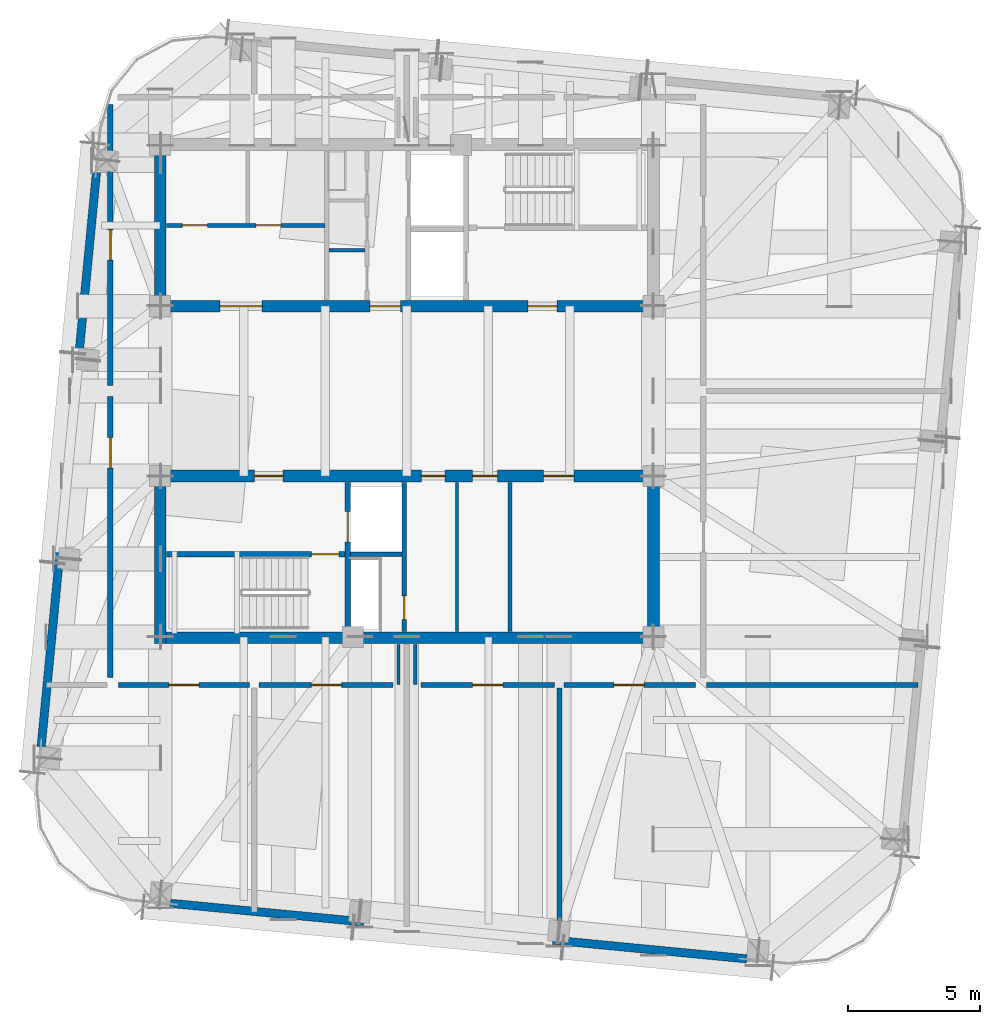
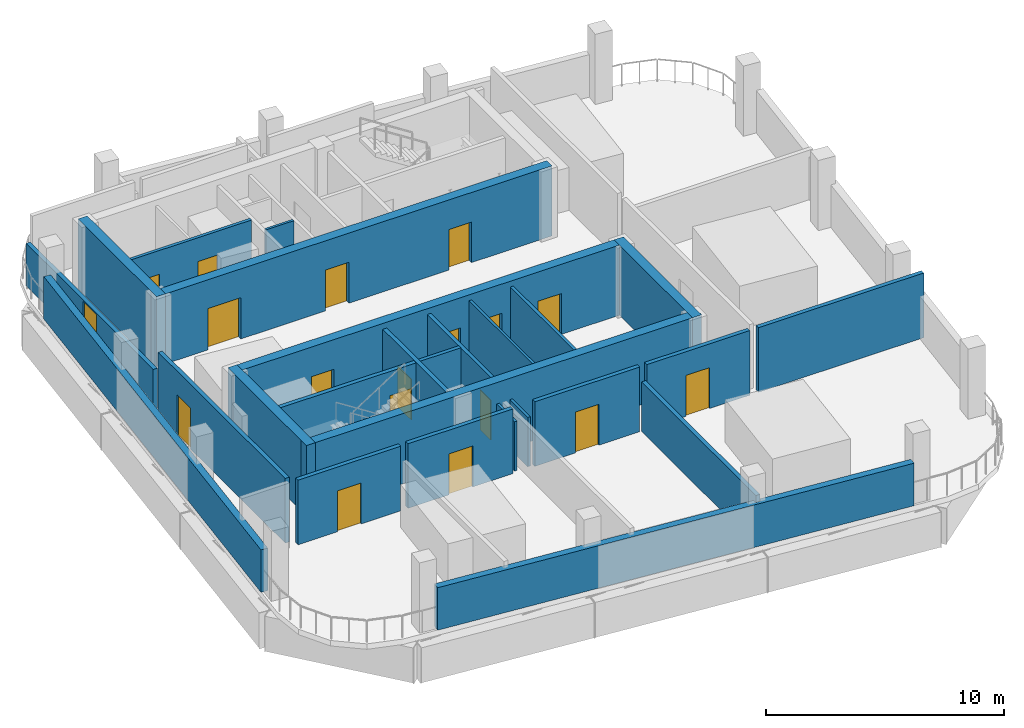
# One storey, part 4 of 10: 26 walls, 18 doors, 18 openings.
"""IFC4 building model written with IfcOpenShell, lengths in metres."""

from ifc_helpers import new_model, si_unit, direction, frame, frame_2d, origin, place, context, subcontext, project, spatial, rectangle, extrude, material, layer, layer_set, type_object, element, fill, save


model = new_model("IFC4")

# Units and contexts
model_context = context("Model", 3, precision=1e-05, world=origin(), true_north=direction((0.0, 1.0)))
body_context = subcontext(model_context, "Body", "Model", "MODEL_VIEW")
ifc_project = project(units=[si_unit("LENGTHUNIT", "METRE"), si_unit("AREAUNIT", "SQUARE_METRE"), si_unit("VOLUMEUNIT", "CUBIC_METRE"), si_unit("PLANEANGLEUNIT", "RADIAN"), si_unit("MASSUNIT", "GRAM", prefix="KILO")], contexts=[model_context])

# Site, building, storey
site_placement = place(None, origin())
site = spatial("IfcSite", under=ifc_project, at=site_placement, CompositionType="ELEMENT")
building_placement = place(site_placement, origin())
building = spatial("IfcBuilding", under=site, at=building_placement, Name="Qhalaya Broadcast Tower", CompositionType="ELEMENT")
storey_placement = place(building_placement, frame((0.0, 0.0, 289.25)))
storey = spatial("IfcBuildingStorey", under=building, at=storey_placement, Name="L85", CompositionType="ELEMENT", Elevation=289.25)

# Wall, openings, doors
ifc_material_1 = material(Name="Gypsum Acoustic Partition")
ifc_layer_1 = layer(ifc_material_1, 0.14990234375, Name="Gypsum Acoustic Partition")
ifc_layer_set_1 = layer_set([ifc_layer_1], Name="Gypsum Acoustic Partition")
wall_type_1 = type_object("IfcWallType", Name="Corridor & Tenancy Acoustic Partition 150", PredefinedType="PARTITIONING", material=ifc_layer_set_1)
wall_1_placement = place(storey_placement, frame((-9.1298828125, 6.89990234375, 0.0), z_axis=(0.0, 0.0, 1.0), x_axis=(1.0, 0.0, 0.0)))
wall_1 = element("IfcWall", 1, at=wall_1_placement, inside=storey, type_object=wall_type_1, Name="L85 Partition Wall NCW-REC1", PredefinedType="PARTITIONING", context=body_context, shape_type="SweptSolid", body=[
    extrude(rectangle(XDim=6.009765625, YDim=0.14990234375, at=frame_2d((3.0048828125, 0.0))), origin(), (0.0, 0.0, 1.0), 3.320068359375),
])
opening_1_placement = place(wall_1_placement, frame((0.60009765625, 0.0, 0.0)))
opening_1 = element("IfcOpeningElement", 2, at=opening_1_placement, cuts=wall_1, Name="Opening D10", PredefinedType="OPENING", context=body_context, shape_type="SweptSolid", body=[
    extrude(rectangle(XDim=0.949951171875, YDim=2.10009765625, at=frame_2d((0.47509765625, 1.050048828125))), frame((0.0, 0.0869140625, 0.0), z_axis=(0.0, -1.0, 0.0), x_axis=(1.0, 0.0, 0.0)), (0.0, 0.0, 1.0), 0.173828125),
])
opening_2_placement = place(wall_1_placement, frame((3.39990234375, 0.0, 0.0)))
opening_2 = element("IfcOpeningElement", 3, at=opening_2_placement, cuts=wall_1, Name="Opening D10", PredefinedType="OPENING", context=body_context, shape_type="SweptSolid", body=[
    extrude(rectangle(XDim=0.949951171875, YDim=2.10009765625, at=frame_2d((0.47509765625, 1.050048828125))), frame((0.0, 0.0869140625, 0.0), z_axis=(0.0, -1.0, 0.0), x_axis=(1.0, 0.0, 0.0)), (0.0, 0.0, 1.0), 0.173828125),
])
ifc_material_2 = material(Name="Timber Veneer Acoustic Door", Category="wood")
door_type_1 = type_object("IfcDoorType", Name="Cellular Office & Edit Booth Door D10", OperationType="NOTDEFINED", PredefinedType="DOOR", material=ifc_material_2)
door_1_placement = place(opening_1_placement, origin())
door_1 = element("IfcDoor", 4, at=door_1_placement, inside=storey, type_object=door_type_1, Name="L85 Door D-NREC1", OperationType="SINGLE_SWING_LEFT", OverallHeight=2.10009765625, OverallWidth=0.949951171875, PredefinedType="DOOR", context=body_context, shape_type="SweptSolid", body=[
    extrude(rectangle(XDim=0.949951171875, YDim=2.10009765625, at=frame_2d((0.47509765625, 1.050048828125))), frame((0.0, 0.02490234375, 0.0), z_axis=(0.0, -1.0, 0.0), x_axis=(1.0, 0.0, 0.0)), (0.0, 0.0, 1.0), 0.050048828125),
])
fill(opening_1, door_1)
door_2_placement = place(opening_2_placement, origin())
door_2 = element("IfcDoor", 5, at=door_2_placement, inside=storey, type_object=door_type_1, Name="L85 Door D-NREC2", OperationType="SINGLE_SWING_RIGHT", OverallHeight=2.10009765625, OverallWidth=0.949951171875, PredefinedType="DOOR", context=body_context, shape_type="SweptSolid", body=[
    extrude(rectangle(XDim=0.949951171875, YDim=2.10009765625, at=frame_2d((0.47509765625, 1.050048828125))), frame((0.0, 0.02490234375, 0.0), z_axis=(0.0, -1.0, 0.0), x_axis=(1.0, 0.0, 0.0)), (0.0, 0.0, 1.0), 0.050048828125),
])
fill(opening_2, door_2)

# Wall
wall_2_placement = place(storey_placement, frame((3.919921875, -8.530029296875, 0.0), z_axis=(0.0, 0.0, 1.0), x_axis=(0.0, 1.0, 0.0)))
element("IfcWall", 6, at=wall_2_placement, inside=storey, type_object=wall_type_1, Name="L85 Partition Wall SCW-HSEP", PredefinedType="PARTITIONING", context=body_context, shape_type="SweptSolid", body=[
    extrude(rectangle(XDim=5.659912109375, YDim=0.14990234375, at=frame_2d((2.830078125, 0.0))), origin(), (0.0, 0.0, 1.0), 3.320068359375),
])

# Wall, opening, door
ifc_layer_2 = layer(ifc_material_1, 0.199951171875, Name="Gypsum Acoustic Partition")
ifc_layer_set_2 = layer_set([ifc_layer_2], Name="Gypsum Acoustic Partition")
wall_type_2 = type_object("IfcWallType", Name="Firefighting Lobby & Stair Enclosure Wall 200", PredefinedType="PARTITIONING", material=ifc_layer_set_2)
wall_3_placement = place(storey_placement, frame((-10.969970703125, -10.570068359375, 0.0), z_axis=(0.0, 0.0, 1.0), x_axis=(1.0, 0.0, 0.0)))
wall_3 = element("IfcWall", 7, at=wall_3_placement, inside=storey, type_object=wall_type_2, Name="L85 Partition Wall W-PCS0", PredefinedType="PARTITIONING", context=body_context, shape_type="SweptSolid", body=[
    extrude(rectangle(XDim=4.989990234375, YDim=0.199951171875, at=frame_2d((2.4951171875, 0.0))), origin(), (0.0, 0.0, 1.0), 3.320068359375),
])
opening_3_placement = place(wall_3_placement, frame((1.919921875, 0.0, 0.0)))
opening_3 = element("IfcOpeningElement", 8, at=opening_3_placement, cuts=wall_3, Name="Opening D05", PredefinedType="OPENING", context=body_context, shape_type="SweptSolid", body=[
    extrude(rectangle(XDim=1.14990234375, YDim=2.10009765625, at=frame_2d((0.574951171875, 1.050048828125))), frame((0.0, 0.112060546875, 0.0), z_axis=(0.0, -1.0, 0.0), x_axis=(1.0, 0.0, 0.0)), (0.0, 0.0, 1.0), 0.223876953125),
])
ifc_material_3 = material(Name="Fire-Rated Steel Door", Category="steel")
door_type_2 = type_object("IfcDoorType", Name="Refuge & Plant Room Fire Door D05", OperationType="NOTDEFINED", PredefinedType="DOOR", material=ifc_material_3)
door_3_placement = place(opening_3_placement, origin())
door_3 = element("IfcDoor", 9, at=door_3_placement, inside=storey, type_object=door_type_2, Name="L85 Door D-PCS0", OperationType="SINGLE_SWING_RIGHT", OverallHeight=2.10009765625, OverallWidth=1.14990234375, PredefinedType="DOOR", context=body_context, shape_type="SweptSolid", body=[
    extrude(rectangle(XDim=1.14990234375, YDim=2.10009765625, at=frame_2d((0.574951171875, 1.050048828125))), frame((0.0, 0.02490234375, 0.0), z_axis=(0.0, -1.0, 0.0), x_axis=(1.0, 0.0, 0.0)), (0.0, 0.0, 1.0), 0.050048828125),
])
fill(opening_3, door_3)

wall_4_placement = place(storey_placement, frame((-5.6201171875, -10.570068359375, 0.0), z_axis=(0.0, 0.0, 1.0), x_axis=(1.0, 0.0, 0.0)))
wall_4 = element("IfcWall", 10, at=wall_4_placement, inside=storey, type_object=wall_type_2, Name="L85 Partition Wall W-PCS1", PredefinedType="PARTITIONING", context=body_context, shape_type="SweptSolid", body=[
    extrude(rectangle(XDim=5.090087890625, YDim=0.199951171875, at=frame_2d((2.544921875, 0.0))), origin(), (0.0, 0.0, 1.0), 3.320068359375),
])
opening_4_placement = place(wall_4_placement, frame((1.989990234375, 0.0, 0.0)))
opening_4 = element("IfcOpeningElement", 11, at=opening_4_placement, cuts=wall_4, Name="Opening D05", PredefinedType="OPENING", context=body_context, shape_type="SweptSolid", body=[
    extrude(rectangle(XDim=1.14990234375, YDim=2.10009765625, at=frame_2d((0.574951171875, 1.050048828125))), frame((0.0, 0.112060546875, 0.0), z_axis=(0.0, -1.0, 0.0), x_axis=(1.0, 0.0, 0.0)), (0.0, 0.0, 1.0), 0.223876953125),
])
door_4_placement = place(opening_4_placement, origin())
door_4 = element("IfcDoor", 12, at=door_4_placement, inside=storey, type_object=door_type_2, Name="L85 Door D-PCS1", OperationType="SINGLE_SWING_RIGHT", OverallHeight=2.10009765625, OverallWidth=1.14990234375, PredefinedType="DOOR", context=body_context, shape_type="SweptSolid", body=[
    extrude(rectangle(XDim=1.14990234375, YDim=2.10009765625, at=frame_2d((0.574951171875, 1.050048828125))), frame((0.0, 0.02490234375, 0.0), z_axis=(0.0, -1.0, 0.0), x_axis=(1.0, 0.0, 0.0)), (0.0, 0.0, 1.0), 0.050048828125),
])
fill(opening_4, door_4)

wall_5_placement = place(storey_placement, frame((0.530029296875, -10.570068359375, 0.0), z_axis=(0.0, 0.0, 1.0), x_axis=(1.0, 0.0, 0.0)))
wall_5 = element("IfcWall", 13, at=wall_5_placement, inside=storey, type_object=wall_type_2, Name="L85 Partition Wall W-PCS2", PredefinedType="PARTITIONING", context=body_context, shape_type="SweptSolid", body=[
    extrude(rectangle(XDim=5.090087890625, YDim=0.199951171875, at=frame_2d((2.544921875, 0.0))), origin(), (0.0, 0.0, 1.0), 3.320068359375),
])
opening_5_placement = place(wall_5_placement, frame((1.969970703125, 0.0, 0.0)))
opening_5 = element("IfcOpeningElement", 14, at=opening_5_placement, cuts=wall_5, Name="Opening D05", PredefinedType="OPENING", context=body_context, shape_type="SweptSolid", body=[
    extrude(rectangle(XDim=1.14990234375, YDim=2.10009765625, at=frame_2d((0.574951171875, 1.050048828125))), frame((0.0, 0.112060546875, 0.0), z_axis=(0.0, -1.0, 0.0), x_axis=(1.0, 0.0, 0.0)), (0.0, 0.0, 1.0), 0.223876953125),
])
door_5_placement = place(opening_5_placement, origin())
door_5 = element("IfcDoor", 15, at=door_5_placement, inside=storey, type_object=door_type_2, Name="L85 Door D-PCS2", OperationType="SINGLE_SWING_RIGHT", OverallHeight=2.10009765625, OverallWidth=1.14990234375, PredefinedType="DOOR", context=body_context, shape_type="SweptSolid", body=[
    extrude(rectangle(XDim=1.14990234375, YDim=2.10009765625, at=frame_2d((0.574951171875, 1.050048828125))), frame((0.0, 0.02490234375, 0.0), z_axis=(0.0, -1.0, 0.0), x_axis=(1.0, 0.0, 0.0)), (0.0, 0.0, 1.0), 0.050048828125),
])
fill(opening_5, door_5)

# Wall
wall_6_placement = place(storey_placement, frame((5.800048828125, -20.313720703125, 0.0), z_axis=(0.0, 0.0, 1.0), x_axis=(0.0, 1.0, 0.0)))
element("IfcWall", 16, at=wall_6_placement, inside=storey, type_object=wall_type_2, Name="L85 Partition Wall W-PDS3", PredefinedType="PARTITIONING", context=body_context, shape_type="SweptSolid", body=[
    extrude(rectangle(XDim=9.623779296875, YDim=0.199951171875, at=frame_2d((4.81201171875, 0.0))), origin(), (0.0, 0.0, 1.0), 2.5380859375),
])

# Wall, opening, door
wall_7_placement = place(storey_placement, frame((5.97998046875, -10.570068359375, 0.0), z_axis=(0.0, 0.0, 1.0), x_axis=(1.0, 0.0, 0.0)))
wall_7 = element("IfcWall", 17, at=wall_7_placement, inside=storey, type_object=wall_type_2, Name="L85 Partition Wall W-PCS3", PredefinedType="PARTITIONING", context=body_context, shape_type="SweptSolid", body=[
    extrude(rectangle(XDim=4.989990234375, YDim=0.199951171875, at=frame_2d((2.4951171875, 0.0))), origin(), (0.0, 0.0, 1.0), 3.320068359375),
])
opening_6_placement = place(wall_7_placement, frame((1.889892578125, 0.0, 0.0)))
opening_6 = element("IfcOpeningElement", 18, at=opening_6_placement, cuts=wall_7, Name="Opening D05", PredefinedType="OPENING", context=body_context, shape_type="SweptSolid", body=[
    extrude(rectangle(XDim=1.14990234375, YDim=2.10009765625, at=frame_2d((0.574951171875, 1.050048828125))), frame((0.0, 0.112060546875, 0.0), z_axis=(0.0, -1.0, 0.0), x_axis=(1.0, 0.0, 0.0)), (0.0, 0.0, 1.0), 0.223876953125),
])
door_6_placement = place(opening_6_placement, origin())
door_6 = element("IfcDoor", 19, at=door_6_placement, inside=storey, type_object=door_type_2, Name="L85 Door D-PCS3", OperationType="SINGLE_SWING_RIGHT", OverallHeight=2.10009765625, OverallWidth=1.14990234375, PredefinedType="DOOR", context=body_context, shape_type="SweptSolid", body=[
    extrude(rectangle(XDim=1.14990234375, YDim=2.10009765625, at=frame_2d((0.574951171875, 1.050048828125))), frame((0.0, 0.02490234375, 0.0), z_axis=(0.0, -1.0, 0.0), x_axis=(1.0, 0.0, 0.0)), (0.0, 0.0, 1.0), 0.050048828125),
])
fill(opening_6, door_6)

# Wall
wall_8_placement = place(storey_placement, frame((11.389892578125, -10.570068359375, 0.0), z_axis=(0.0, 0.0, 1.0), x_axis=(1.0, 0.0, 0.0)))
element("IfcWall", 20, at=wall_8_placement, inside=storey, type_object=wall_type_2, Name="L85 Partition Wall W-PBSE", PredefinedType="PARTITIONING", context=body_context, shape_type="SweptSolid", body=[
    extrude(rectangle(XDim=8.029296875, YDim=0.199951171875, at=frame_2d((4.0146484375, 0.0))), origin(), (0.0, 0.0, 1.0), 3.320068359375),
])

# Wall, opening, door
wall_9_placement = place(storey_placement, frame((-11.27001953125, 0.389892578125, 0.0), z_axis=(0.0, 0.0, 1.0), x_axis=(0.0, -1.0, 0.0)))
wall_9 = element("IfcWall", 21, at=wall_9_placement, inside=storey, type_object=wall_type_2, Name="L85 Partition Wall W-PCW1", PredefinedType="PARTITIONING", context=body_context, shape_type="SweptSolid", body=[
    extrude(rectangle(XDim=10.679931640625, YDim=0.199951171875, at=frame_2d((5.33984375, 0.0))), origin(), (0.0, 0.0, 1.0), 3.320068359375),
])
opening_7_placement = place(wall_9_placement, frame((1.56103515625, 0.0, 0.0)))
opening_7 = element("IfcOpeningElement", 22, at=opening_7_placement, cuts=wall_9, Name="Opening D05", PredefinedType="OPENING", context=body_context, shape_type="SweptSolid", body=[
    extrude(rectangle(XDim=1.14990234375, YDim=2.10009765625, at=frame_2d((0.574951171875, 1.050048828125))), frame((0.0, 0.112060546875, 0.0), z_axis=(0.0, -1.0, 0.0), x_axis=(1.0, 0.0, 0.0)), (0.0, 0.0, 1.0), 0.223876953125),
])
door_7_placement = place(opening_7_placement, origin())
door_7 = element("IfcDoor", 23, at=door_7_placement, inside=storey, type_object=door_type_2, Name="L85 Door D-PCW1", OperationType="SINGLE_SWING_LEFT", OverallHeight=2.10009765625, OverallWidth=1.14990234375, PredefinedType="DOOR", context=body_context, shape_type="SweptSolid", body=[
    extrude(rectangle(XDim=1.14990234375, YDim=2.10009765625, at=frame_2d((0.574951171875, 1.050048828125))), frame((0.0, 0.02490234375, 0.0), z_axis=(0.0, -1.0, 0.0), x_axis=(1.0, 0.0, 0.0)), (0.0, 0.0, 1.0), 0.050048828125),
])
fill(opening_7, door_7)

wall_10_placement = place(storey_placement, frame((-11.27001953125, 11.489990234375, 0.0), z_axis=(0.0, 0.0, 1.0), x_axis=(0.0, -1.0, 0.0)))
wall_10 = element("IfcWall", 24, at=wall_10_placement, inside=storey, type_object=wall_type_2, Name="L85 Partition Wall W-PCW2", PredefinedType="PARTITIONING", context=body_context, shape_type="SweptSolid", body=[
    extrude(rectangle(XDim=10.679931640625, YDim=0.199951171875, at=frame_2d((5.33984375, 0.0))), origin(), (0.0, 0.0, 1.0), 2.181884765625),
])
opening_8_placement = place(wall_10_placement, frame((4.764892578125, 0.0, 0.0)))
opening_8 = element("IfcOpeningElement", 25, at=opening_8_placement, cuts=wall_10, Name="Opening D05", PredefinedType="OPENING", context=body_context, shape_type="SweptSolid", body=[
    extrude(rectangle(XDim=1.14990234375, YDim=2.10009765625, at=frame_2d((0.574951171875, 1.050048828125))), frame((0.0, 0.112060546875, 0.0), z_axis=(0.0, -1.0, 0.0), x_axis=(1.0, 0.0, 0.0)), (0.0, 0.0, 1.0), 0.223876953125),
])
door_8_placement = place(opening_8_placement, origin())
door_8 = element("IfcDoor", 26, at=door_8_placement, inside=storey, type_object=door_type_2, Name="L85 Door D-PCW2", OperationType="SINGLE_SWING_RIGHT", OverallHeight=2.10009765625, OverallWidth=1.14990234375, PredefinedType="DOOR", context=body_context, shape_type="SweptSolid", body=[
    extrude(rectangle(XDim=1.14990234375, YDim=2.10009765625, at=frame_2d((0.574951171875, 1.050048828125))), frame((0.0, 0.02490234375, 0.0), z_axis=(0.0, -1.0, 0.0), x_axis=(1.0, 0.0, 0.0)), (0.0, 0.0, 1.0), 0.050048828125),
])
fill(opening_8, door_8)

ifc_material_4 = material(Name="Concrete C50/60", Category="concrete")
ifc_layer_3 = layer(ifc_material_4, 0.199951171875, Name="Concrete C50/60")
ifc_layer_set_3 = layer_set([ifc_layer_3], Name="Concrete C50/60")
wall_type_3 = type_object("IfcWallType", Name="Load-Bearing Stair Shaft Wall 200", PredefinedType="SHEAR", material=ifc_layer_set_3)
wall_11_placement = place(storey_placement, frame((-9.1298828125, -5.60498046875, 0.0), z_axis=(0.0, 0.0, 1.0), x_axis=(1.0, 0.0, 0.0)))
wall_11 = element("IfcWall", 27, at=wall_11_placement, inside=storey, type_object=wall_type_3, Name="L85 Stair Core Shear Wall SCW-ST2", PredefinedType="SHEAR", context=body_context, shape_type="SweptSolid", body=[
    extrude(rectangle(XDim=6.769775390625, YDim=0.199951171875, at=frame_2d((3.384765625, 0.0))), origin(), (0.0, 0.0, 1.0), 3.320068359375),
])
opening_9_placement = place(wall_11_placement, frame((5.5, 0.0, 0.0)))
opening_9 = element("IfcOpeningElement", 28, at=opening_9_placement, cuts=wall_11, Name="Opening D03", PredefinedType="OPENING", context=body_context, shape_type="SweptSolid", body=[
    extrude(rectangle(XDim=1.050048828125, YDim=2.080078125, at=frame_2d((0.52490234375, 1.0400390625))), frame((0.0, 0.112060546875, 0.0), z_axis=(0.0, -1.0, 0.0), x_axis=(1.0, 0.0, 0.0)), (0.0, 0.0, 1.0), 0.223876953125),
])
door_type_3 = type_object("IfcDoorType", Name="Core Stair Protected Fire Door D03", OperationType="NOTDEFINED", PredefinedType="DOOR", material=ifc_material_3)
door_9_placement = place(opening_9_placement, origin())
door_9 = element("IfcDoor", 29, at=door_9_placement, inside=storey, type_object=door_type_3, Name="L85 Door D-SST2", OperationType="SINGLE_SWING_RIGHT", OverallHeight=2.080078125, OverallWidth=1.050048828125, PredefinedType="DOOR", context=body_context, shape_type="SweptSolid", body=[
    extrude(rectangle(XDim=1.050048828125, YDim=2.080078125, at=frame_2d((0.52490234375, 1.0400390625))), frame((0.0, 0.02490234375, 0.0), z_axis=(0.0, -1.0, 0.0), x_axis=(1.0, 0.0, 0.0)), (0.0, 0.0, 1.0), 0.050048828125),
])
fill(opening_9, door_9)

wall_12_placement = place(storey_placement, frame((-2.25, -8.530029296875, 0.0), z_axis=(0.0, 0.0, 1.0), x_axis=(0.0, 1.0, 0.0)))
wall_12 = element("IfcWall", 30, at=wall_12_placement, inside=storey, type_object=wall_type_3, Name="L85 Stair Core Shear Wall SCW-FF", PredefinedType="SHEAR", context=body_context, shape_type="SweptSolid", body=[
    extrude(rectangle(XDim=5.659912109375, YDim=0.199951171875, at=frame_2d((2.830078125, 0.0))), origin(), (0.0, 0.0, 1.0), 3.320068359375),
])
opening_10_placement = place(wall_12_placement, frame((3.39990234375, 0.0, 0.0)))
opening_10 = element("IfcOpeningElement", 31, at=opening_10_placement, cuts=wall_12, Name="Opening LD2", PredefinedType="OPENING", context=body_context, shape_type="SweptSolid", body=[
    extrude(rectangle(XDim=1.14990234375, YDim=2.080078125, at=frame_2d((0.574951171875, 1.0400390625))), frame((0.0, 0.112060546875, 0.0), z_axis=(0.0, -1.0, 0.0), x_axis=(1.0, 0.0, 0.0)), (0.0, 0.0, 1.0), 0.223876953125),
])
ifc_material_5 = material(Name="Brushed Stainless Steel Lift Door", Category="steel")
door_type_4 = type_object("IfcDoorType", Name="Firefighting Lift Sliding Landing Door LD2", OperationType="DOUBLE_DOOR_SLIDING", PredefinedType="DOOR", material=ifc_material_5)
door_10_placement = place(opening_10_placement, origin())
door_10 = element("IfcDoor", 32, at=door_10_placement, inside=storey, type_object=door_type_4, Name="L85 Door LD-FF2", OperationType="DOUBLE_DOOR_SLIDING", OverallHeight=2.080078125, OverallWidth=1.14990234375, PredefinedType="DOOR", context=body_context, shape_type="SweptSolid", body=[
    extrude(rectangle(XDim=1.14990234375, YDim=2.080078125, at=frame_2d((0.574951171875, 1.0400390625))), frame((0.0, 0.02490234375, 0.0), z_axis=(0.0, -1.0, 0.0), x_axis=(1.0, 0.0, 0.0)), (0.0, 0.0, 1.0), 0.050048828125),
])
fill(opening_10, door_10)

# Walls
ifc_layer_4 = layer(ifc_material_1, 0.1201171875, Name="Gypsum Acoustic Partition")
ifc_layer_set_4 = layer_set([ifc_layer_4], Name="Gypsum Acoustic Partition")
wall_type_4 = type_object("IfcWallType", Name="Office, Booth & Sanitary Partition 120", PredefinedType="PARTITIONING", material=ifc_layer_set_4)
wall_13_placement = place(storey_placement, frame((-2.9599609375, 5.949951171875, 0.0), z_axis=(0.0, 0.0, 1.0), x_axis=(1.0, 0.0, 0.0)))
element("IfcWall", 33, at=wall_13_placement, inside=storey, type_object=wall_type_4, Name="L85 Partition Wall NCW-VB1", PredefinedType="PARTITIONING", context=body_context, shape_type="SweptSolid", body=[
    extrude(rectangle(XDim=1.35986328125, YDim=0.1201171875, at=frame_2d((0.679931640625, 0.0))), origin(), (0.0, 0.0, 1.0), 3.320068359375),
])
wall_14_placement = place(storey_placement, frame((1.89990234375, -8.530029296875, 0.0), z_axis=(0.0, 0.0, 1.0), x_axis=(0.0, 1.0, 0.0)))
element("IfcWall", 34, at=wall_14_placement, inside=storey, type_object=wall_type_4, Name="L85 Partition Wall SCW-RKB", PredefinedType="PARTITIONING", context=body_context, shape_type="SweptSolid", body=[
    extrude(rectangle(XDim=5.659912109375, YDim=0.1201171875, at=frame_2d((2.830078125, 0.0))), origin(), (0.0, 0.0, 1.0), 3.320068359375),
])
for number, where, z_axis, x_axis, name in (
    (35, (-0.320068359375, -10.550048828125, 0.0), (0.0, 0.0, 1.0), (0.0, 1.0, 0.0), "L85 Partition Wall W-OBSCW"),
    (36, (0.320068359375, -10.550048828125, 0.0), (0.0, 0.0, 1.0), (0.0, 1.0, 0.0), "L85 Partition Wall W-OBSCE"),
):
    element("IfcWall", number, at=place(storey_placement, frame(where, z_axis=z_axis, x_axis=x_axis)), inside=storey, type_object=wall_type_4, Name=name, PredefinedType="PARTITIONING", context=body_context, shape_type="SweptSolid", body=[
        extrude(rectangle(XDim=1.510009765625, YDim=0.1201171875, at=frame_2d((0.7548828125, 0.0))), origin(), (0.0, 0.0, 1.0), 2.5380859375),
    ])
ifc_material_6 = material(Name="Precast Concrete C40/50", Category="concrete")
ifc_layer_5 = layer(ifc_material_6, 0.320068359375, Name="Precast Concrete C40/50")
ifc_layer_set_5 = layer_set([ifc_layer_5], Name="Precast Concrete C40/50")
wall_type_5 = type_object("IfcWallType", Name="Recessed Neck Insulated Exterior Wall 320", PredefinedType="SOLIDWALL", material=ifc_layer_set_5)
for number, where, z_axis, x_axis, name in (
    (37, (12.923583984375, -20.979736328125, 0.0), (0.0, 0.0, 1.0), (-0.995396387456, 0.095843788738, 0.0), "L85 Exterior Facade Wall S"),
    (38, (-13.899658203125, -12.923583984375, 0.0), (0.0, 0.0, 1.0), (0.095843788738, 0.995396387456, 0.0), "L85 Exterior Facade Wall W"),
):
    element("IfcWall", number, at=place(storey_placement, frame(where, z_axis=z_axis, x_axis=x_axis)), inside=storey, type_object=wall_type_5, Name=name, PredefinedType="SOLIDWALL", context=body_context, shape_type="SweptSolid", body=[
        extrude(rectangle(XDim=22.023681640625, YDim=0.320068359375, at=frame_2d((11.01171875, 0.0))), origin(), (0.0, 0.0, 1.0), 2.181884765625),
    ])

# Wall, opening, door
ifc_layer_6 = layer(ifc_material_1, 0.175048828125, Name="Gypsum Acoustic Partition")
ifc_layer_set_6 = layer_set([ifc_layer_6], Name="Gypsum Acoustic Partition")
wall_type_6 = type_object("IfcWallType", Name="Shaft & Riser Fire Partition 175", PredefinedType="PARTITIONING", material=ifc_layer_set_6)
wall_15_placement = place(storey_placement, frame((-0.10009765625, -8.530029296875, 0.0), z_axis=(0.0, 0.0, 1.0), x_axis=(0.0, 1.0, 0.0)))
wall_15 = element("IfcWall", 39, at=wall_15_placement, inside=storey, type_object=wall_type_6, Name="L85 Partition Wall SCW-FFE", PredefinedType="PARTITIONING", context=body_context, shape_type="SweptSolid", body=[
    extrude(rectangle(XDim=5.659912109375, YDim=0.175048828125, at=frame_2d((2.830078125, 0.0))), origin(), (0.0, 0.0, 1.0), 3.320068359375),
])
opening_11_placement = place(wall_15_placement, frame((0.449951171875, 0.0, 0.0)))
opening_11 = element("IfcOpeningElement", 40, at=opening_11_placement, cuts=wall_15, Name="Opening D06", PredefinedType="OPENING", context=body_context, shape_type="SweptSolid", body=[
    extrude(rectangle(XDim=0.89990234375, YDim=2.050048828125, at=frame_2d((0.449951171875, 1.02490234375))), frame((0.0, 0.099609375, 0.0), z_axis=(0.0, -1.0, 0.0), x_axis=(1.0, 0.0, 0.0)), (0.0, 0.0, 1.0), 0.198974609375),
])
door_type_5 = type_object("IfcDoorType", Name="Riser & Electrical Shaft Access Door D06", OperationType="NOTDEFINED", PredefinedType="DOOR", material=ifc_material_3)
door_11_placement = place(opening_11_placement, origin())
door_11 = element("IfcDoor", 41, at=door_11_placement, inside=storey, type_object=door_type_5, Name="L85 Riser Shaft Access Door D-SRSR", OperationType="SINGLE_SWING_LEFT", OverallHeight=2.050048828125, OverallWidth=0.89990234375, PredefinedType="DOOR", context=body_context, shape_type="SweptSolid", body=[
    extrude(rectangle(XDim=0.89990234375, YDim=2.050048828125, at=frame_2d((0.449951171875, 1.02490234375))), frame((0.0, 0.02490234375, 0.0), z_axis=(0.0, -1.0, 0.0), x_axis=(1.0, 0.0, 0.0)), (0.0, 0.0, 1.0), 0.050048828125),
])
fill(opening_11, door_11)

# Wall
wall_16_placement = place(storey_placement, frame((-2.14990234375, -5.60009765625, 0.0), z_axis=(0.0, 0.0, 1.0), x_axis=(1.0, 0.0, 0.0)))
element("IfcWall", 42, at=wall_16_placement, inside=storey, type_object=wall_type_6, Name="L85 Partition Wall SCW-FFM", PredefinedType="PARTITIONING", context=body_context, shape_type="SweptSolid", body=[
    extrude(rectangle(XDim=1.969970703125, YDim=0.175048828125, at=frame_2d((0.98486328125, 0.0))), origin(), (0.0, 0.0, 1.0), 3.320068359375),
])

# Wall, openings, doors
ifc_layer_7 = layer(ifc_material_4, 0.449951171875, Name="Concrete C50/60")
ifc_layer_set_7 = layer_set([ifc_layer_7], Name="Concrete C50/60")
wall_type_7 = type_object("IfcWallType", Name="Upper Split-Core Shear Wall 450", PredefinedType="SHEAR", material=ifc_layer_set_7)
wall_17_placement = place(storey_placement, frame((-9.60009765625, 3.824951171875, 0.0), z_axis=(0.0, 0.0, 1.0), x_axis=(1.0, 0.0, 0.0)))
wall_17 = element("IfcWall", 43, at=wall_17_placement, inside=storey, type_object=wall_type_7, Name="L85 Split-Core Shear Wall CW-NS", PredefinedType="SHEAR", context=body_context, shape_type="SweptSolid", body=[
    extrude(rectangle(XDim=19.2001953125, YDim=0.449951171875, at=frame_2d((9.60009765625, 0.0))), origin(), (0.0, 0.0, 1.0), 3.60009765625),
])
opening_12_placement = place(wall_17_placement, frame((14.199951171875, 0.0, 0.0)))
opening_12 = element("IfcOpeningElement", 44, at=opening_12_placement, cuts=wall_17, Name="Opening D04", PredefinedType="OPENING", context=body_context, shape_type="SweptSolid", body=[
    extrude(rectangle(XDim=1.10009765625, YDim=2.080078125, at=frame_2d((0.550048828125, 1.0400390625))), frame((0.0, 0.237060546875, 0.0), z_axis=(0.0, -1.0, 0.0), x_axis=(1.0, 0.0, 0.0)), (0.0, 0.0, 1.0), 0.473876953125),
])
opening_13_placement = place(wall_17_placement, frame((8.199951171875, 0.0, 0.0)))
opening_13 = element("IfcOpeningElement", 45, at=opening_13_placement, cuts=wall_17, Name="Opening D05", PredefinedType="OPENING", context=body_context, shape_type="SweptSolid", body=[
    extrude(rectangle(XDim=1.14990234375, YDim=2.10009765625, at=frame_2d((0.574951171875, 1.050048828125))), frame((0.0, 0.237060546875, 0.0), z_axis=(0.0, -1.0, 0.0), x_axis=(1.0, 0.0, 0.0)), (0.0, 0.0, 1.0), 0.473876953125),
])
opening_14_placement = place(wall_17_placement, frame((2.5, 0.0, 0.0)))
opening_14 = element("IfcOpeningElement", 46, at=opening_14_placement, cuts=wall_17, Name="Opening D07", PredefinedType="OPENING", context=body_context, shape_type="SweptSolid", body=[
    extrude(rectangle(XDim=1.60009765625, YDim=2.1201171875, at=frame_2d((0.800048828125, 1.06005859375))), frame((0.0, 0.237060546875, 0.0), z_axis=(0.0, -1.0, 0.0), x_axis=(1.0, 0.0, 0.0)), (0.0, 0.0, 1.0), 0.473876953125),
])
door_type_6 = type_object("IfcDoorType", Name="Firefighting Lobby Rated Door D04", OperationType="NOTDEFINED", PredefinedType="DOOR", material=ifc_material_3)
door_12_placement = place(opening_12_placement, origin())
door_12 = element("IfcDoor", 47, at=door_12_placement, inside=storey, type_object=door_type_6, Name="L85 Door D-NFF", OperationType="SINGLE_SWING_RIGHT", OverallHeight=2.080078125, OverallWidth=1.10009765625, PredefinedType="DOOR", context=body_context, shape_type="SweptSolid", body=[
    extrude(rectangle(XDim=1.10009765625, YDim=2.080078125, at=frame_2d((0.550048828125, 1.0400390625))), frame((0.0, 0.02490234375, 0.0), z_axis=(0.0, -1.0, 0.0), x_axis=(1.0, 0.0, 0.0)), (0.0, 0.0, 1.0), 0.050048828125),
])
fill(opening_12, door_12)
ifc_material_7 = material(Name="Anodised Aluminium Glazed Door", Category="aluminium")
door_type_7 = type_object("IfcDoorType", Name="Passenger Lift Lobby Double Glazed Door D07", OperationType="DOUBLE_DOOR_SINGLE_SWING", PredefinedType="DOOR", material=ifc_material_7)
door_13_placement = place(opening_14_placement, origin())
door_13 = element("IfcDoor", 48, at=door_13_placement, inside=storey, type_object=door_type_7, Name="L85 Door D-NRECV", OperationType="DOUBLE_DOOR_SINGLE_SWING", OverallHeight=2.1201171875, OverallWidth=1.60009765625, PredefinedType="DOOR", context=body_context, shape_type="SweptSolid", body=[
    extrude(rectangle(XDim=1.60009765625, YDim=2.1201171875, at=frame_2d((0.800048828125, 1.06005859375))), frame((0.0, 0.02490234375, 0.0), z_axis=(0.0, -1.0, 0.0), x_axis=(1.0, 0.0, 0.0)), (0.0, 0.0, 1.0), 0.050048828125),
])
fill(opening_14, door_13)
door_14_placement = place(opening_13_placement, origin())
door_14 = element("IfcDoor", 49, at=door_14_placement, inside=storey, type_object=door_type_2, Name="L85 Door D-NSVL", OperationType="SINGLE_SWING_LEFT", OverallHeight=2.10009765625, OverallWidth=1.14990234375, PredefinedType="DOOR", context=body_context, shape_type="SweptSolid", body=[
    extrude(rectangle(XDim=1.14990234375, YDim=2.10009765625, at=frame_2d((0.574951171875, 1.050048828125))), frame((0.0, 0.02490234375, 0.0), z_axis=(0.0, -1.0, 0.0), x_axis=(1.0, 0.0, 0.0)), (0.0, 0.0, 1.0), 0.050048828125),
])
fill(opening_13, door_14)

# Walls
wall_18_placement = place(storey_placement, frame((-9.375, 3.60009765625, 0.0), z_axis=(0.0, 0.0, 1.0), x_axis=(0.0, 1.0, 0.0)))
element("IfcWall", 50, at=wall_18_placement, inside=storey, type_object=wall_type_7, Name="L85 Split-Core Shear Wall CW-NW", PredefinedType="SHEAR", context=body_context, shape_type="SweptSolid", body=[
    extrude(rectangle(XDim=6.599853515625, YDim=0.449951171875, at=frame_2d((3.2998046875, 0.0))), origin(), (0.0, 0.0, 1.0), 3.60009765625),
])
wall_19_placement = place(storey_placement, frame((-9.60009765625, -8.77490234375, 0.0), z_axis=(0.0, 0.0, 1.0), x_axis=(1.0, 0.0, 0.0)))
element("IfcWall", 51, at=wall_19_placement, inside=storey, type_object=wall_type_7, Name="L85 Split-Core Shear Wall CW-SS", PredefinedType="SHEAR", context=body_context, shape_type="SweptSolid", body=[
    extrude(rectangle(XDim=19.2001953125, YDim=0.449951171875, at=frame_2d((9.60009765625, 0.0))), origin(), (0.0, 0.0, 1.0), 3.60009765625),
])

# Wall, openings, doors
wall_20_placement = place(storey_placement, frame((-9.60009765625, -2.625, 0.0), z_axis=(0.0, 0.0, 1.0), x_axis=(1.0, 0.0, 0.0)))
wall_20 = element("IfcWall", 52, at=wall_20_placement, inside=storey, type_object=wall_type_7, Name="L85 Split-Core Shear Wall CW-SN", PredefinedType="SHEAR", context=body_context, shape_type="SweptSolid", body=[
    extrude(rectangle(XDim=19.2001953125, YDim=0.449951171875, at=frame_2d((9.60009765625, 0.0))), origin(), (0.0, 0.0, 1.0), 3.60009765625),
])
opening_15_placement = place(wall_20_placement, frame((3.800048828125, 0.0, 0.0)))
opening_15 = element("IfcOpeningElement", 53, at=opening_15_placement, cuts=wall_20, Name="Opening D04", PredefinedType="OPENING", context=body_context, shape_type="SweptSolid", body=[
    extrude(rectangle(XDim=1.10009765625, YDim=2.080078125, at=frame_2d((0.550048828125, 1.0400390625))), frame((0.0, 0.237060546875, 0.0), z_axis=(0.0, -1.0, 0.0), x_axis=(1.0, 0.0, 0.0)), (0.0, 0.0, 1.0), 0.473876953125),
])
opening_16_placement = place(wall_20_placement, frame((10.14990234375, 0.0, 0.0)))
opening_16 = element("IfcOpeningElement", 54, at=opening_16_placement, cuts=wall_20, Name="Opening D06", PredefinedType="OPENING", context=body_context, shape_type="SweptSolid", body=[
    extrude(rectangle(XDim=0.89990234375, YDim=2.050048828125, at=frame_2d((0.449951171875, 1.02490234375))), frame((0.0, 0.237060546875, 0.0), z_axis=(0.0, -1.0, 0.0), x_axis=(1.0, 0.0, 0.0)), (0.0, 0.0, 1.0), 0.473876953125),
])
opening_17_placement = place(wall_20_placement, frame((12.10009765625, 0.0, 0.0)))
opening_17 = element("IfcOpeningElement", 55, at=opening_17_placement, cuts=wall_20, Name="Opening D10", PredefinedType="OPENING", context=body_context, shape_type="SweptSolid", body=[
    extrude(rectangle(XDim=0.949951171875, YDim=2.10009765625, at=frame_2d((0.47509765625, 1.050048828125))), frame((0.0, 0.237060546875, 0.0), z_axis=(0.0, -1.0, 0.0), x_axis=(1.0, 0.0, 0.0)), (0.0, 0.0, 1.0), 0.473876953125),
])
opening_18_placement = place(wall_20_placement, frame((14.800048828125, 0.0, 0.0)))
opening_18 = element("IfcOpeningElement", 56, at=opening_18_placement, cuts=wall_20, Name="Opening D05", PredefinedType="OPENING", context=body_context, shape_type="SweptSolid", body=[
    extrude(rectangle(XDim=1.14990234375, YDim=2.10009765625, at=frame_2d((0.574951171875, 1.050048828125))), frame((0.0, 0.237060546875, 0.0), z_axis=(0.0, -1.0, 0.0), x_axis=(1.0, 0.0, 0.0)), (0.0, 0.0, 1.0), 0.473876953125),
])
door_15_placement = place(opening_17_placement, origin())
door_15 = element("IfcDoor", 57, at=door_15_placement, inside=storey, type_object=door_type_1, Name="L85 Door D-SREC2", OperationType="SINGLE_SWING_RIGHT", OverallHeight=2.10009765625, OverallWidth=0.949951171875, PredefinedType="DOOR", context=body_context, shape_type="SweptSolid", body=[
    extrude(rectangle(XDim=0.949951171875, YDim=2.10009765625, at=frame_2d((0.47509765625, 1.050048828125))), frame((0.0, 0.02490234375, 0.0), z_axis=(0.0, -1.0, 0.0), x_axis=(1.0, 0.0, 0.0)), (0.0, 0.0, 1.0), 0.050048828125),
])
fill(opening_17, door_15)
door_16_placement = place(opening_15_placement, origin())
door_16 = element("IfcDoor", 58, at=door_16_placement, inside=storey, type_object=door_type_6, Name="L85 Door D-SFF", OperationType="SINGLE_SWING_LEFT", OverallHeight=2.080078125, OverallWidth=1.10009765625, PredefinedType="DOOR", context=body_context, shape_type="SweptSolid", body=[
    extrude(rectangle(XDim=1.10009765625, YDim=2.080078125, at=frame_2d((0.550048828125, 1.0400390625))), frame((0.0, 0.02490234375, 0.0), z_axis=(0.0, -1.0, 0.0), x_axis=(1.0, 0.0, 0.0)), (0.0, 0.0, 1.0), 0.050048828125),
])
fill(opening_15, door_16)
door_17_placement = place(opening_18_placement, origin())
door_17 = element("IfcDoor", 59, at=door_17_placement, inside=storey, type_object=door_type_2, Name="L85 Door D-SOVR3", OperationType="SINGLE_SWING_RIGHT", OverallHeight=2.10009765625, OverallWidth=1.14990234375, PredefinedType="DOOR", context=body_context, shape_type="SweptSolid", body=[
    extrude(rectangle(XDim=1.14990234375, YDim=2.10009765625, at=frame_2d((0.574951171875, 1.050048828125))), frame((0.0, 0.02490234375, 0.0), z_axis=(0.0, -1.0, 0.0), x_axis=(1.0, 0.0, 0.0)), (0.0, 0.0, 1.0), 0.050048828125),
])
fill(opening_18, door_17)
door_18_placement = place(opening_16_placement, origin())
door_18 = element("IfcDoor", 60, at=door_18_placement, inside=storey, type_object=door_type_5, Name="L85 Door D-SREC1", OperationType="SINGLE_SWING_LEFT", OverallHeight=2.050048828125, OverallWidth=0.89990234375, PredefinedType="DOOR", context=body_context, shape_type="SweptSolid", body=[
    extrude(rectangle(XDim=0.89990234375, YDim=2.050048828125, at=frame_2d((0.449951171875, 1.02490234375))), frame((0.0, 0.02490234375, 0.0), z_axis=(0.0, -1.0, 0.0), x_axis=(1.0, 0.0, 0.0)), (0.0, 0.0, 1.0), 0.050048828125),
])
fill(opening_16, door_18)

# Walls
for number, where, z_axis, x_axis, name in (
    (61, (-9.375, -9.0, 0.0), (0.0, 0.0, 1.0), (0.0, 1.0, 0.0), "L85 Split-Core Shear Wall CW-SW"),
    (62, (9.375, -9.0, 0.0), (0.0, 0.0, 1.0), (0.0, 1.0, 0.0), "L85 Split-Core Shear Wall CW-SE"),
):
    element("IfcWall", number, at=place(storey_placement, frame(where, z_axis=z_axis, x_axis=x_axis)), inside=storey, type_object=wall_type_7, Name=name, PredefinedType="SHEAR", context=body_context, shape_type="SweptSolid", body=[
        extrude(rectangle(XDim=6.60009765625, YDim=0.449951171875, at=frame_2d((3.300048828125, 0.0))), origin(), (0.0, 0.0, 1.0), 3.60009765625),
    ])

save(model, "model.ifc")
